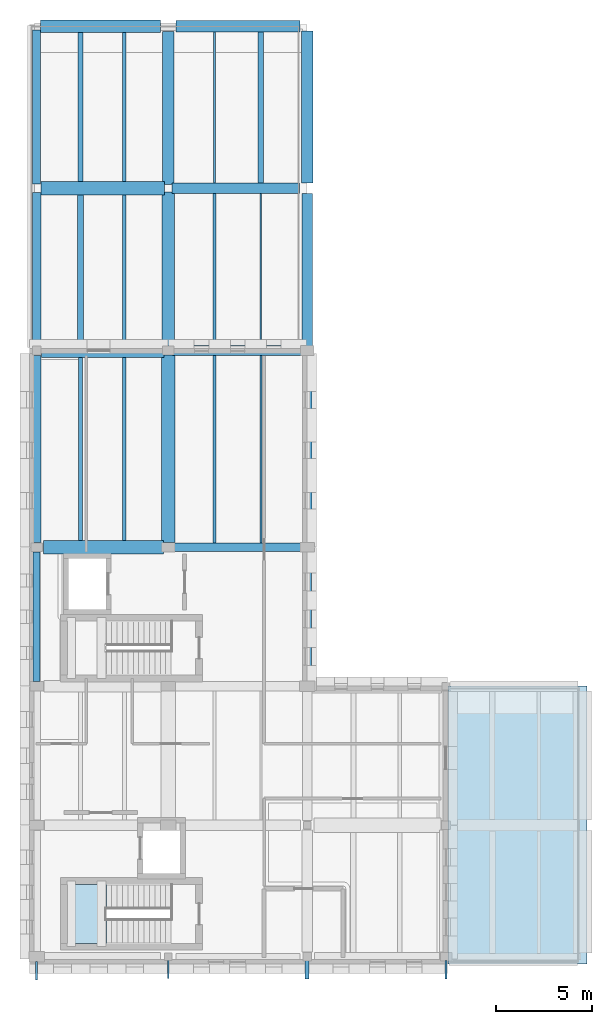
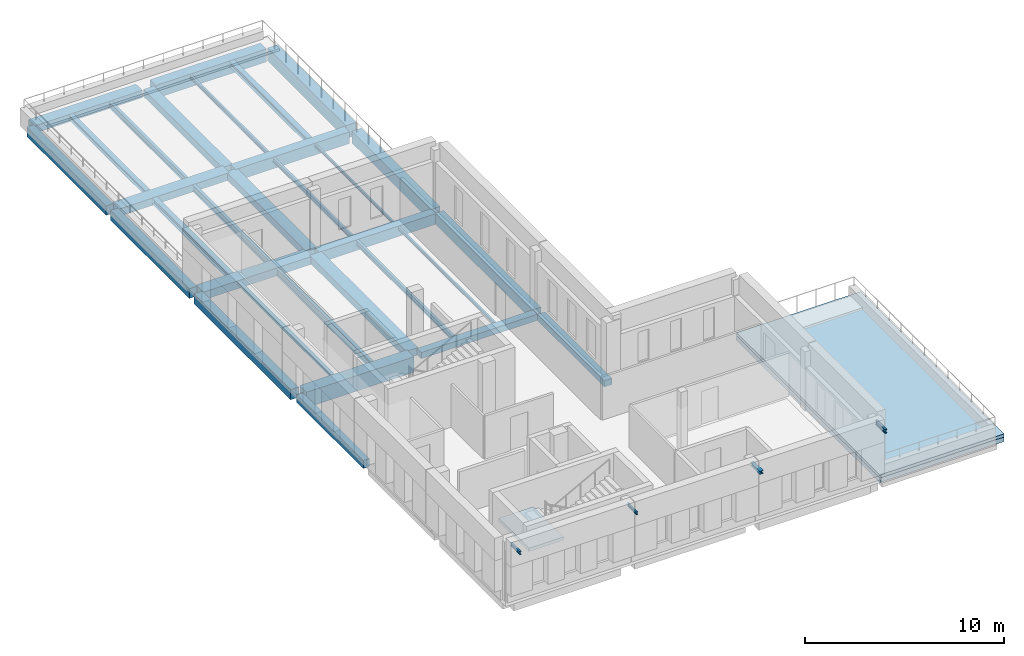
# One storey, part 2 of 8: 31 beams, 4 members, 3 slabs, 1 element without a shape of its own.
"""IFC4 building model written with IfcOpenShell, lengths in metres."""

import ifcopenshell
import ifcopenshell.guid

model = None  # the IFC model being written
_history = None  # IfcOwnerHistory: only IFC2X3 demands one
_inside = {}  # id of a spatial element -> (the spatial element, [elements in it])
_under = {}  # id of a project, library or spatial element -> (it, [spatial elements below it])
_declared = {}  # id of a project -> (the project, [libraries it declares])
_typed = {}  # id of a type object -> (the type object, [elements of that type])
_made_of = {}  # id of a material, layer set ... -> (it, [elements and type objects made of it])


def new_model(schema):
    """Start an empty IFC model of exactly this schema.

    Asked for "IFC4X3", IfcOpenShell would pick the latest addendum, in which some entities
    have other attributes; the version numbers below select the first issue.
    IFC2X3 requires an IfcOwnerHistory on every rooted entity: one is made here for all.
    """
    global model, _history
    if schema == "IFC4X3":
        model = ifcopenshell.file(schema_version=(4, 3, 0, 0))
    else:
        model = ifcopenshell.file(schema=schema)
    _inside.clear()
    _under.clear()
    _declared.clear()
    _typed.clear()
    _made_of.clear()
    _history = None
    if model.schema == "IFC2X3":
        org = make("IfcOrganization", Name="unknown")
        user = make(
            "IfcPersonAndOrganization",
            ThePerson=make("IfcPerson", FamilyName="unknown"),
            TheOrganization=org,
        )
        app = make(
            "IfcApplication",
            ApplicationDeveloper=org,
            Version="unknown",
            ApplicationFullName="unknown",
            ApplicationIdentifier="unknown",
        )
        _history = make(
            "IfcOwnerHistory",
            OwningUser=user,
            OwningApplication=app,
            ChangeAction="ADDED",
            CreationDate=0,
        )
    return model


def make(cls, **values):
    """One entity of the class cls with the attributes given. An attribute that is None is left unset."""
    return model.create_entity(
        cls, **{name: value for name, value in values.items() if value is not None}
    )


def rooted(cls, **values):
    """An entity with a GlobalId (a new one), such as an element, a storey or a relation."""
    return make(cls, GlobalId=ifcopenshell.guid.new(), OwnerHistory=_history, **values)


def si_unit(unit_type, name, prefix=None):
    """IfcSIUnit, for example si_unit("LENGTHUNIT", "METRE", prefix="MILLI")."""
    return make("IfcSIUnit", UnitType=unit_type, Prefix=prefix, Name=name)


def assignment(units):
    """IfcUnitAssignment: the units of a project."""
    return None if units is None else make("IfcUnitAssignment", Units=units)


def point(xyz):
    """IfcCartesianPoint."""
    return None if xyz is None else make("IfcCartesianPoint", Coordinates=xyz)


def direction(xyz):
    """IfcDirection."""
    return None if xyz is None else make("IfcDirection", DirectionRatios=xyz)


def frame(location, z_axis=None, x_axis=None):
    """IfcAxis2Placement3D, a coordinate frame: its origin and axes. An axis left out is left unset."""
    return make(
        "IfcAxis2Placement3D",
        Location=point(location),
        Axis=direction(z_axis),
        RefDirection=direction(x_axis),
    )


def frame_2d(location, x_axis=None):
    """IfcAxis2Placement2D, a coordinate frame in the plane: its origin and x axis."""
    return make(
        "IfcAxis2Placement2D", Location=point(location), RefDirection=direction(x_axis)
    )


def origin():
    """The frame at (0, 0, 0) with its axes left unset."""
    return frame((0.0, 0.0, 0.0))


def origin_2d():
    """The frame at (0, 0) in the plane with its x axis left unset."""
    return frame_2d((0.0, 0.0))


def place(relative_to, where):
    """IfcLocalPlacement: puts the frame where relative to a parent placement (None: the world)."""
    return make(
        "IfcLocalPlacement", PlacementRelTo=relative_to, RelativePlacement=where
    )


def context(
    kind, dimensions, precision=None, world=None, true_north=None, identifier=None
):
    """IfcGeometricRepresentationContext, for example the 3D "Model" context."""
    return make(
        "IfcGeometricRepresentationContext",
        ContextIdentifier=identifier,
        ContextType=kind,
        CoordinateSpaceDimension=dimensions,
        Precision=precision,
        WorldCoordinateSystem=world,
        TrueNorth=true_north,
    )


def subcontext(parent, identifier, kind, view, scale=None):
    """IfcGeometricRepresentationSubContext, for example "Body" below "Model"."""
    return make(
        "IfcGeometricRepresentationSubContext",
        ContextIdentifier=identifier,
        ContextType=kind,
        ParentContext=parent,
        TargetScale=scale,
        TargetView=view,
    )


def project(units=None, contexts=None):
    """IfcProject with its units and contexts."""
    return rooted(
        "IfcProject",
        Name="project",
        RepresentationContexts=contexts,
        UnitsInContext=assignment(units),
    )


def spatial(cls, under=None, at=None, **own):
    """A site, building, storey or space (cls), placed at a placement, below another one or the project."""
    s = rooted(cls, ObjectPlacement=at, **own)
    if under is not None:
        _under.setdefault(under.id(), (under, []))[1].append(s)
    return s


def polyline(points):
    """IfcPolyline through the points."""
    return make("IfcPolyline", Points=[point(p) for p in points])


def profile(cls, at=None, kind="AREA", **sizes):
    """A parametric profile (cls). Its sizes go by their IFC names, for example OverallWidth=200.0."""
    return make(cls, ProfileType=kind, Position=at, **sizes)


def rectangle(**sizes):
    """IfcRectangleProfileDef."""
    return profile("IfcRectangleProfileDef", **sizes)


def i_section(**sizes):
    """IfcIShapeProfileDef."""
    return profile("IfcIShapeProfileDef", **sizes)


def outline(outer, holes=None, kind="AREA"):
    """IfcArbitraryClosedProfileDef: a profile drawn as a closed curve; with holes, ...WithVoids."""
    if holes is None:
        return make("IfcArbitraryClosedProfileDef", ProfileType=kind, OuterCurve=outer)
    return make(
        "IfcArbitraryProfileDefWithVoids",
        ProfileType=kind,
        OuterCurve=outer,
        InnerCurves=holes,
    )


def extrude(swept, where, along, depth):
    """IfcExtrudedAreaSolid: the profile swept, set in the frame where, extruded along a direction by depth."""
    return make(
        "IfcExtrudedAreaSolid",
        SweptArea=swept,
        Position=where,
        ExtrudedDirection=direction(along),
        Depth=depth,
    )


def shape(context_of_items, identifier, shape_type, items):
    """IfcShapeRepresentation: the items that make up one representation, for example the "Body"."""
    return make(
        "IfcShapeRepresentation",
        ContextOfItems=context_of_items,
        RepresentationIdentifier=identifier,
        RepresentationType=shape_type,
        Items=items,
    )


def material(Name=None, Category=None):
    """IfcMaterial."""
    return make("IfcMaterial", Name=Name, Category=Category)


def layer(
    of_material, thickness, ventilated=None, Name=None, Category=None, Priority=None
):
    """IfcMaterialLayer: one layer of a wall or slab, of a material (None: an air gap)."""
    return make(
        "IfcMaterialLayer",
        Material=of_material,
        LayerThickness=thickness,
        IsVentilated=ventilated,
        Name=Name,
        Category=Category,
        Priority=Priority,
    )


def layer_set(layers, Name=None):
    """IfcMaterialLayerSet."""
    return make("IfcMaterialLayerSet", MaterialLayers=layers, LayerSetName=Name)


def material_profile(
    of_material, cross_section, Name=None, Category=None, Priority=None
):
    """IfcMaterialProfile: a cross section and its material."""
    return make(
        "IfcMaterialProfile",
        Name=Name,
        Material=of_material,
        Profile=cross_section,
        Priority=Priority,
        Category=Category,
    )


def profile_set(profiles, Name=None, composite=None):
    """IfcMaterialProfileSet."""
    return make(
        "IfcMaterialProfileSet",
        Name=Name,
        MaterialProfiles=profiles,
        CompositeProfile=composite,
    )


def made_of(thing, what):
    """Note that an element or type object is made of a material, layer set ...; save() writes the relation."""
    if what is not None:
        _made_of.setdefault(what.id(), (what, []))[1].append(thing)
    return thing


def type_object(cls, material=None, **own):
    """A type object (cls), such as IfcWallType, which elements share."""
    return made_of(rooted(cls, **own), material)


def element(
    cls,
    number,
    at=None,
    inside=None,
    cuts=None,
    type_object=None,
    material=None,
    context=None,
    identifier="Body",
    shape_type=None,
    held_by="IfcProductDefinitionShape",
    body=None,
    shapes=None,
    **own,
):
    """One element of the class cls, such as IfcWall. Its Tag is "e" and its number.

    at: its placement. inside: the storey or other place that contains it. cuts: it is an
    opening in that element (IfcRelVoidsElement). A single representation is given by context,
    identifier, shape_type and body (its items); several are given by shapes. held_by: the class
    of the entity that holds the representations. save() writes the other relations.
    """
    e = rooted(cls, Tag="e%d" % number, ObjectPlacement=at, **own)
    if body is not None:
        shapes = [shape(context, identifier, shape_type, body)]
    if shapes is not None:
        e.Representation = make(held_by, Representations=shapes)
    if inside is not None:
        _inside.setdefault(inside.id(), (inside, []))[1].append(e)
    if cuts is not None:
        rooted(
            "IfcRelVoidsElement", RelatingBuildingElement=cuts, RelatedOpeningElement=e
        )
    if type_object is not None:
        _typed.setdefault(type_object.id(), (type_object, []))[1].append(e)
    return made_of(e, material)


def aggregate(whole, parts):
    """IfcRelAggregates: a whole, such as a stair, and the parts it consists of."""
    return rooted("IfcRelAggregates", RelatingObject=whole, RelatedObjects=parts)


def save(model, path):
    """Write the relations noted so far, then the file.

    IfcRelAggregates (storeys below a building ...), IfcRelContainedInSpatialStructure (elements
    in a storey), IfcRelDefinesByType, IfcRelAssociatesMaterial and IfcRelDeclares: one each for
    every whole, place, type object, material and project.
    """
    for whole, parts in _under.values():
        aggregate(whole, parts)
    for where, things in _inside.values():
        rooted(
            "IfcRelContainedInSpatialStructure",
            RelatedElements=things,
            RelatingStructure=where,
        )
    for kind, things in _typed.values():
        rooted("IfcRelDefinesByType", RelatedObjects=things, RelatingType=kind)
    for what, things in _made_of.values():
        rooted("IfcRelAssociatesMaterial", RelatedObjects=things, RelatingMaterial=what)
    for by, libraries in _declared.values():
        rooted("IfcRelDeclares", RelatingContext=by, RelatedDefinitions=libraries)
    model.write(path)


model = new_model("IFC4")

# Units and contexts
model_context = context("Model", 3, precision=1e-05, world=origin(), true_north=direction((0.0, 1.0)))
body_context = subcontext(model_context, "Body", "Model", "MODEL_VIEW")
ifc_project = project(units=[si_unit("LENGTHUNIT", "METRE"), si_unit("AREAUNIT", "SQUARE_METRE"), si_unit("VOLUMEUNIT", "CUBIC_METRE"), si_unit("PLANEANGLEUNIT", "RADIAN"), si_unit("MASSUNIT", "GRAM", prefix="KILO")], contexts=[model_context])

# Site, building, storey
site_placement = place(None, origin())
site = spatial("IfcSite", under=ifc_project, at=site_placement, CompositionType="ELEMENT")
building_placement = place(site_placement, origin())
building = spatial("IfcBuilding", under=site, at=building_placement, Name="Vardoun Plaza Health Centre", CompositionType="ELEMENT")
storey_placement = place(building_placement, frame((0.0, 0.0, 21.14990234375)))
storey = spatial("IfcBuildingStorey", under=building, at=storey_placement, Name="L05", CompositionType="ELEMENT", Elevation=21.14990234375)

# Beams
ifc_material_1 = material(Name="Concrete C35/45", Category="concrete")
ifc_material_profile_1 = material_profile(ifc_material_1, rectangle(XDim=0.35009765625, YDim=0.5, at=origin_2d()), Name="RC-BM 350x500")
ifc_profile_set_1 = profile_set([ifc_material_profile_1], Name="Concrete C35/45")
beam_type_1 = type_object("IfcBeamType", Name="B-08", PredefinedType="SPANDREL", material=ifc_profile_set_1)
beam_1_placement = place(storey_placement, frame((4.8798828125, 19.14990234375, -0.52978515625), z_axis=(0.0, 1.0, 0.0), x_axis=(-1.0, 0.0, 0.0)))
element("IfcBeam", 1, at=beam_1_placement, inside=storey, type_object=beam_type_1, Name="V2 L05 Beam B-V2-L05-Y23", PredefinedType="SPANDREL", context=body_context, shape_type="SweptSolid", body=[
    extrude(rectangle(XDim=0.35009765625, YDim=0.5, at=origin_2d()), origin(), (0.0, 0.0, 1.0), 6.7001953125),
])
ifc_material_2 = material(Name="Concrete C35/45", Category="concrete")
ifc_material_profile_2 = material_profile(ifc_material_2, rectangle(XDim=0.419921875, YDim=0.580078125, at=origin_2d()), Name="RC-BM 420x580")
ifc_profile_set_2 = profile_set([ifc_material_profile_2], Name="Concrete C35/45")
beam_type_2 = type_object("IfcBeamType", Name="B-10", PredefinedType="SPANDREL", material=ifc_profile_set_2)
beam_2_placement = place(storey_placement, frame((4.8798828125, 44.925048828125, -0.56982421875), z_axis=(0.0, 1.0, 0.0), x_axis=(-1.0, 0.0, 0.0)))
element("IfcBeam", 2, at=beam_2_placement, inside=storey, type_object=beam_type_2, Name="V2 L05 Beam B-V2-L05-Y26", PredefinedType="SPANDREL", context=body_context, shape_type="SweptSolid", body=[
    extrude(rectangle(XDim=0.419921875, YDim=0.580078125, at=origin_2d()), origin(), (0.0, 0.0, 1.0), 7.97509765625),
])
ifc_material_3 = material(Name="Concrete C35/45", Category="concrete")
ifc_material_profile_3 = material_profile(ifc_material_3, rectangle(XDim=0.449951171875, YDim=0.3798828125, at=origin_2d()), Name="RC-BM 450x380")
ifc_profile_set_3 = profile_set([ifc_material_profile_3], Name="Concrete C35/45")
beam_type_3 = type_object("IfcBeamType", Name="B-01", PredefinedType="BEAM", material=ifc_profile_set_3)
for number, where, z_axis, x_axis, name in (
    (3, (11.949951171875, 26.10009765625, -0.469970703125), (1.0, 0.0, 0.0), (0.0, 1.0, 0.0), "V2 L05 Beam B-V2-L05-X11"),
    (4, (18.89990234375, 19.14990234375, -0.469970703125), (0.0, 1.0, 0.0), (-1.0, 0.0, 0.0), "V2 L05 Beam B-V2-L05-Y33"),
):
    element("IfcBeam", number, at=place(storey_placement, frame(where, z_axis=z_axis, x_axis=x_axis)), inside=storey, type_object=beam_type_3, Name=name, PredefinedType="BEAM", context=body_context, shape_type="SweptSolid", body=[
        extrude(rectangle(XDim=0.449951171875, YDim=0.3798828125, at=origin_2d()), origin(), (0.0, 0.0, 1.0), 6.72509765625),
    ])
ifc_material_4 = material(Name="Concrete C35/45", Category="concrete")
ifc_material_profile_4 = material_profile(ifc_material_4, rectangle(XDim=0.449951171875, YDim=0.60009765625, at=origin_2d()), Name="RC-BM 450x600")
ifc_profile_set_4 = profile_set([ifc_material_profile_4], Name="Concrete C35/45")
beam_type_4 = type_object("IfcBeamType", Name="B-11", PredefinedType="SPANDREL", material=ifc_profile_set_4)
beam_3_placement = place(storey_placement, frame((4.8798828125, 36.550048828125, -0.579833984375), z_axis=(0.0, 1.0, 0.0), x_axis=(-1.0, 0.0, 0.0)))
element("IfcBeam", 5, at=beam_3_placement, inside=storey, type_object=beam_type_4, Name="V2 L05 Beam B-V2-L05-Y25", PredefinedType="SPANDREL", context=body_context, shape_type="SweptSolid", body=[
    extrude(rectangle(XDim=0.449951171875, YDim=0.60009765625, at=origin_2d()), origin(), (0.0, 0.0, 1.0), 7.925048828125),
])
ifc_material_5 = material(Name="Concrete C35/45", Category="concrete")
ifc_material_profile_5 = material_profile(ifc_material_5, rectangle(XDim=0.47998046875, YDim=0.6201171875, at=origin_2d()), Name="RC-BM 480x620")
ifc_profile_set_5 = profile_set([ifc_material_profile_5], Name="Concrete C35/45")
beam_type_5 = type_object("IfcBeamType", Name="B-12", PredefinedType="SPANDREL", material=ifc_profile_set_5)
beam_4_placement = place(storey_placement, frame((4.8798828125, 26.35009765625, -0.58984375), z_axis=(0.0, 1.0, 0.0), x_axis=(-1.0, 0.0, 0.0)))
element("IfcBeam", 6, at=beam_4_placement, inside=storey, type_object=beam_type_5, Name="V2 L05 Beam B-V2-L05-Y24", PredefinedType="SPANDREL", context=body_context, shape_type="SweptSolid", body=[
    extrude(rectangle(XDim=0.47998046875, YDim=0.6201171875, at=origin_2d()), origin(), (0.0, 0.0, 1.0), 9.699951171875),
])
ifc_material_6 = material(Name="Concrete C40/50", Category="concrete")
ifc_material_profile_6 = material_profile(ifc_material_6, rectangle(XDim=0.5, YDim=0.64990234375, at=origin_2d()), Name="RC-BM 500x650")
ifc_profile_set_6 = profile_set([ifc_material_profile_6], Name="Concrete C40/50")
beam_type_6 = type_object("IfcBeamType", Name="B-13", PredefinedType="BEAM", material=ifc_profile_set_6)
beam_5_placement = place(storey_placement, frame((11.925048828125, 36.300048828125, -0.60498046875), z_axis=(1.0, 0.0, 0.0), x_axis=(0.0, 1.0, 0.0)))
element("IfcBeam", 7, at=beam_5_placement, inside=storey, type_object=beam_type_6, Name="V2 L05 Beam B-V2-L05-X12", PredefinedType="BEAM", context=body_context, shape_type="SweptSolid", body=[
    extrude(rectangle(XDim=0.5, YDim=0.64990234375, at=origin_2d()), origin(), (0.0, 0.0, 1.0), 6.77490234375),
])
beam_6_placement = place(storey_placement, frame((18.89990234375, 26.324951171875, -0.60498046875), z_axis=(0.0, 1.0, 0.0), x_axis=(-1.0, 0.0, 0.0)))
element("IfcBeam", 8, at=beam_6_placement, inside=storey, type_object=beam_type_6, Name="V2 L05 Beam B-V2-L05-Y34", PredefinedType="BEAM", context=body_context, shape_type="SweptSolid", body=[
    extrude(rectangle(XDim=0.5, YDim=0.64990234375, at=origin_2d()), origin(), (0.0, 0.0, 1.0), 9.775146484375),
])
ifc_material_7 = material(Name="Concrete C40/50", Category="concrete")
ifc_material_profile_7 = material_profile(ifc_material_7, rectangle(XDim=0.550048828125, YDim=0.719970703125, at=origin_2d()), Name="RC-BM 550x720")
ifc_profile_set_7 = profile_set([ifc_material_profile_7], Name="Concrete C40/50")
beam_type_7 = type_object("IfcBeamType", Name="B-14", PredefinedType="BEAM", material=ifc_profile_set_7)
beam_7_placement = place(storey_placement, frame((11.89990234375, 44.699951171875, -0.639892578125), z_axis=(1.0, 0.0, 0.0), x_axis=(0.0, 1.0, 0.0)))
element("IfcBeam", 9, at=beam_7_placement, inside=storey, type_object=beam_type_7, Name="V2 L05 Beam B-V2-L05-X13", PredefinedType="BEAM", context=body_context, shape_type="SweptSolid", body=[
    extrude(rectangle(XDim=0.550048828125, YDim=0.719970703125, at=origin_2d()), origin(), (0.0, 0.0, 1.0), 6.60009765625),
])
beam_8_placement = place(storey_placement, frame((18.89990234375, 36.5, -0.639892578125), z_axis=(0.0, 1.0, 0.0), x_axis=(-1.0, 0.0, 0.0)))
element("IfcBeam", 10, at=beam_8_placement, inside=storey, type_object=beam_type_7, Name="V2 L05 Beam B-V2-L05-Y35", PredefinedType="BEAM", context=body_context, shape_type="SweptSolid", body=[
    extrude(rectangle(XDim=0.550048828125, YDim=0.719970703125, at=origin_2d()), origin(), (0.0, 0.0, 1.0), 7.925048828125),
])
ifc_material_8 = material(Name="Concrete C35/45", Category="concrete")
ifc_material_profile_8 = material_profile(ifc_material_8, rectangle(XDim=0.60009765625, YDim=0.449951171875, at=origin_2d()), Name="RC-BM 600x450")
ifc_profile_set_8 = profile_set([ifc_material_profile_8], Name="Concrete C35/45")
beam_type_8 = type_object("IfcBeamType", Name="B-04", PredefinedType="BEAM", material=ifc_profile_set_8)
beam_9_placement = place(storey_placement, frame((11.699951171875, 44.900146484375, -0.5048828125), z_axis=(0.0, 1.0, 0.0), x_axis=(-1.0, 0.0, 0.0)))
element("IfcBeam", 11, at=beam_9_placement, inside=storey, type_object=beam_type_8, Name="V2 L05 Beam B-V2-L05-Y30", PredefinedType="BEAM", context=body_context, shape_type="SweptSolid", body=[
    extrude(rectangle(XDim=0.60009765625, YDim=0.449951171875, at=origin_2d()), origin(), (0.0, 0.0, 1.0), 7.9248046875),
])
ifc_material_9 = material(Name="Concrete C40/50", Category="concrete")
ifc_material_profile_9 = material_profile(ifc_material_9, rectangle(XDim=0.60009765625, YDim=0.800048828125, at=origin_2d()), Name="RC-BM 600x800")
ifc_profile_set_9 = profile_set([ifc_material_profile_9], Name="Concrete C40/50")
beam_type_9 = type_object("IfcBeamType", Name="B-15", PredefinedType="JOIST", material=ifc_profile_set_9)
beam_10_placement = place(storey_placement, frame((12.10009765625, 53.10009765625, -0.679931640625), z_axis=(1.0, 0.0, 0.0), x_axis=(0.0, 1.0, 0.0)))
element("IfcBeam", 12, at=beam_10_placement, inside=storey, type_object=beam_type_9, Name="V2 L05 Beam B-V2-L05-X14", PredefinedType="JOIST", context=body_context, shape_type="SweptSolid", body=[
    extrude(rectangle(XDim=0.60009765625, YDim=0.800048828125, at=origin_2d()), origin(), (0.0, 0.0, 1.0), 6.4248046875),
])
beam_11_placement = place(storey_placement, frame((18.89990234375, 44.97509765625, -0.679931640625), z_axis=(0.0, 1.0, 0.0), x_axis=(-1.0, 0.0, 0.0)))
element("IfcBeam", 13, at=beam_11_placement, inside=storey, type_object=beam_type_9, Name="V2 L05 Beam B-V2-L05-Y36", PredefinedType="JOIST", context=body_context, shape_type="SweptSolid", body=[
    extrude(rectangle(XDim=0.60009765625, YDim=0.800048828125, at=origin_2d()), origin(), (0.0, 0.0, 1.0), 7.875),
])
ifc_material_10 = material(Name="Concrete C35/45", Category="concrete")
ifc_material_profile_10 = material_profile(ifc_material_10, rectangle(XDim=0.64990234375, YDim=0.449951171875, at=origin_2d()), Name="RC-BM 650x450")
ifc_profile_set_10 = profile_set([ifc_material_profile_10], Name="Concrete C35/45")
beam_type_10 = type_object("IfcBeamType", Name="B-05", PredefinedType="BEAM", material=ifc_profile_set_10)
beam_12_placement = place(storey_placement, frame((5.080078125, 53.10009765625, -0.5048828125), z_axis=(1.0, 0.0, 0.0), x_axis=(0.0, 1.0, 0.0)))
element("IfcBeam", 14, at=beam_12_placement, inside=storey, type_object=beam_type_10, Name="V2 L05 Beam B-V2-L05-X07", PredefinedType="BEAM", context=body_context, shape_type="SweptSolid", body=[
    extrude(rectangle(XDim=0.64990234375, YDim=0.449951171875, at=origin_2d()), origin(), (0.0, 0.0, 1.0), 6.219970703125),
])
beam_13_placement = place(storey_placement, frame((11.699951171875, 36.525146484375, -0.5048828125), z_axis=(0.0, 1.0, 0.0), x_axis=(-1.0, 0.0, 0.0)))
element("IfcBeam", 15, at=beam_13_placement, inside=storey, type_object=beam_type_10, Name="V2 L05 Beam B-V2-L05-Y29", PredefinedType="BEAM", context=body_context, shape_type="SweptSolid", body=[
    extrude(rectangle(XDim=0.64990234375, YDim=0.449951171875, at=origin_2d()), origin(), (0.0, 0.0, 1.0), 7.974853515625),
])
ifc_material_11 = material(Name="Concrete C35/45", Category="concrete")
ifc_material_profile_11 = material_profile(ifc_material_11, rectangle(XDim=0.699951171875, YDim=0.449951171875, at=origin_2d()), Name="RC-BM 700x450")
ifc_profile_set_11 = profile_set([ifc_material_profile_11], Name="Concrete C35/45")
beam_type_11 = type_object("IfcBeamType", Name="B-06", PredefinedType="BEAM", material=ifc_profile_set_11)
beam_14_placement = place(storey_placement, frame((5.10498046875, 44.699951171875, -0.5048828125), z_axis=(1.0, 0.0, 0.0), x_axis=(0.0, 1.0, 0.0)))
element("IfcBeam", 16, at=beam_14_placement, inside=storey, type_object=beam_type_11, Name="V2 L05 Beam B-V2-L05-X06", PredefinedType="BEAM", context=body_context, shape_type="SweptSolid", body=[
    extrude(rectangle(XDim=0.699951171875, YDim=0.449951171875, at=origin_2d()), origin(), (0.0, 0.0, 1.0), 6.39501953125),
])
beam_15_placement = place(storey_placement, frame((11.699951171875, 26.35009765625, -0.5048828125), z_axis=(0.0, 1.0, 0.0), x_axis=(-1.0, 0.0, 0.0)))
element("IfcBeam", 17, at=beam_15_placement, inside=storey, type_object=beam_type_11, Name="V2 L05 Beam B-V2-L05-Y28", PredefinedType="BEAM", context=body_context, shape_type="SweptSolid", body=[
    extrude(rectangle(XDim=0.699951171875, YDim=0.449951171875, at=origin_2d()), origin(), (0.0, 0.0, 1.0), 9.724853515625),
])
ifc_material_12 = material(Name="Concrete C40/50", Category="concrete")
ifc_material_profile_12 = material_profile(ifc_material_12, rectangle(XDim=0.699951171875, YDim=0.949951171875, at=origin_2d()), Name="RC-BM 700x950")
ifc_profile_set_12 = profile_set([ifc_material_profile_12], Name="Concrete C40/50")
beam_type_12 = type_object("IfcBeamType", Name="B-16", PredefinedType="LINTEL", material=ifc_profile_set_12)
beam_16_placement = place(storey_placement, frame((5.22998046875, 26.10009765625, -0.7548828125), z_axis=(1.0, 0.0, 0.0), x_axis=(0.0, 1.0, 0.0)))
element("IfcBeam", 18, at=beam_16_placement, inside=storey, type_object=beam_type_12, Name="V2 L05 Beam B-V2-L05-X04", PredefinedType="LINTEL", context=body_context, shape_type="SweptSolid", body=[
    extrude(rectangle(XDim=0.699951171875, YDim=0.949951171875, at=origin_2d()), origin(), (0.0, 0.0, 1.0), 6.219970703125),
])
ifc_material_13 = material(Name="Concrete C35/45", Category="concrete")
ifc_material_profile_13 = material_profile(ifc_material_13, rectangle(XDim=0.75, YDim=0.47998046875, at=origin_2d()), Name="RC-BM 750x480")
ifc_profile_set_13 = profile_set([ifc_material_profile_13], Name="Concrete C35/45")
beam_type_13 = type_object("IfcBeamType", Name="B-07", PredefinedType="BEAM", material=ifc_profile_set_13)
beam_17_placement = place(storey_placement, frame((5.1298828125, 36.300048828125, -0.52001953125), z_axis=(1.0, 0.0, 0.0), x_axis=(0.0, 1.0, 0.0)))
element("IfcBeam", 19, at=beam_17_placement, inside=storey, type_object=beam_type_13, Name="V2 L05 Beam B-V2-L05-X05", PredefinedType="BEAM", context=body_context, shape_type="SweptSolid", body=[
    extrude(rectangle(XDim=0.75, YDim=0.47998046875, at=origin_2d()), origin(), (0.0, 0.0, 1.0), 6.34521484375),
])
ifc_material_14 = material(Name="Steel S355J2", Category="steel")
ifc_material_profile_14 = material_profile(ifc_material_14, i_section(OverallWidth=0.199951171875, OverallDepth=0.18994140625, WebThickness=0.006591796875, FlangeThickness=0.010009765625, FilletRadius=0.01806640625, at=origin_2d()), Name="HEA 200")
ifc_profile_set_14 = profile_set([ifc_material_profile_14], Name="Steel S355J2")
beam_type_14 = type_object("IfcBeamType", Name="SB-09", PredefinedType="BEAM", material=ifc_profile_set_14)
beam_18_placement = place(storey_placement, frame((7.153076171875, 26.449951171875, -0.375), z_axis=(0.0, 1.0, 0.0), x_axis=(-1.0, 0.0, 0.0)))
element("IfcBeam", 20, at=beam_18_placement, inside=storey, type_object=beam_type_14, Name="V2 L05 Secondary Floor Beam SJ-V2-L05-02", PredefinedType="BEAM", context=body_context, shape_type="SweptSolid", body=[
    extrude(i_section(OverallWidth=0.199951171875, OverallDepth=0.18994140625, WebThickness=0.006591796875, FlangeThickness=0.010009765625, FilletRadius=0.01806640625, at=origin_2d()), origin(), (0.0, 0.0, 1.0), 9.47509765625),
])
ifc_material_15 = material(Name="Steel S355J2", Category="steel")
ifc_material_profile_15 = material_profile(ifc_material_15, i_section(OverallWidth=0.300048828125, OverallDepth=0.330078125, WebThickness=0.009521484375, FlangeThickness=0.0166015625, FilletRadius=0.027099609375, at=origin_2d()), Name="HEA 340")
ifc_profile_set_15 = profile_set([ifc_material_profile_15], Name="Steel S355J2")
beam_type_15 = type_object("IfcBeamType", Name="SB-04", PredefinedType="BEAM", material=ifc_profile_set_15)
beam_19_placement = place(storey_placement, frame((16.500244140625, 44.97509765625, -0.44482421875), z_axis=(0.0, 1.0, 0.0), x_axis=(-1.0, 0.0, 0.0)))
element("IfcBeam", 21, at=beam_19_placement, inside=storey, type_object=beam_type_15, Name="V2 L05 Secondary Floor Beam SJ-V2-L05-16", PredefinedType="BEAM", context=body_context, shape_type="SweptSolid", body=[
    extrude(i_section(OverallWidth=0.300048828125, OverallDepth=0.330078125, WebThickness=0.009521484375, FlangeThickness=0.0166015625, FilletRadius=0.027099609375, at=origin_2d()), origin(), (0.0, 0.0, 1.0), 7.824951171875),
])
ifc_material_16 = material(Name="Steel S355J2", Category="steel")
ifc_material_profile_16 = material_profile(ifc_material_16, i_section(OverallWidth=0.280029296875, OverallDepth=0.280029296875, WebThickness=0.010498046875, FlangeThickness=0.01806640625, FilletRadius=0.02392578125, at=origin_2d()), Name="HEB 280")
ifc_profile_set_16 = profile_set([ifc_material_profile_16], Name="Steel S355J2")
beam_type_16 = type_object("IfcBeamType", Name="SB-02", PredefinedType="BEAM", material=ifc_profile_set_16)
beam_20_placement = place(storey_placement, frame((7.153076171875, 45.050048828125, -0.419921875), z_axis=(0.0, 1.0, 0.0), x_axis=(-1.0, 0.0, 0.0)))
element("IfcBeam", 22, at=beam_20_placement, inside=storey, type_object=beam_type_16, Name="V2 L05 Secondary Floor Beam SJ-V2-L05-04", PredefinedType="BEAM", context=body_context, shape_type="SweptSolid", body=[
    extrude(i_section(OverallWidth=0.280029296875, OverallDepth=0.280029296875, WebThickness=0.010498046875, FlangeThickness=0.01806640625, FilletRadius=0.02392578125, at=origin_2d()), origin(), (0.0, 0.0, 1.0), 7.72509765625),
])
ifc_material_17 = material(Name="Steel S355J2", Category="steel")
ifc_material_profile_17 = material_profile(ifc_material_17, i_section(OverallWidth=0.300048828125, OverallDepth=0.360107421875, WebThickness=0.012451171875, FlangeThickness=0.0224609375, FilletRadius=0.027099609375, at=origin_2d()), Name="HEB 360")
ifc_profile_set_17 = profile_set([ifc_material_profile_17], Name="Steel S355J2")
beam_type_17 = type_object("IfcBeamType", Name="RB-04", PredefinedType="BEAM", material=ifc_profile_set_17)
beam_21_placement = place(storey_placement, frame((7.153076171875, 36.675048828125, -0.459716796875), z_axis=(0.0, 1.0, 0.0), x_axis=(-1.0, 0.0, 0.0)))
element("IfcBeam", 23, at=beam_21_placement, inside=storey, type_object=beam_type_17, Name="V2 L05 Secondary Floor Beam SJ-V2-L05-03", PredefinedType="BEAM", context=body_context, shape_type="SweptSolid", body=[
    extrude(i_section(OverallWidth=0.300048828125, OverallDepth=0.360107421875, WebThickness=0.012451171875, FlangeThickness=0.0224609375, FilletRadius=0.027099609375, at=origin_2d()), origin(), (0.0, 0.0, 1.0), 7.675048828125),
])
ifc_material_18 = material(Name="Steel S355J2", Category="steel")
ifc_material_profile_18 = material_profile(ifc_material_18, i_section(OverallWidth=0.091064453125, OverallDepth=0.179931640625, WebThickness=0.00537109375, FlangeThickness=0.008056640625, FilletRadius=0.009033203125, at=origin_2d()), Name="IPE 180")
ifc_profile_set_18 = profile_set([ifc_material_profile_18], Name="Steel S355J2")
beam_type_18 = type_object("IfcBeamType", Name="SB-20", PredefinedType="SPANDREL", material=ifc_profile_set_18)
beam_22_placement = place(storey_placement, frame((16.500244140625, 36.550048828125, -0.369873046875), z_axis=(0.0, 1.0, 0.0), x_axis=(-1.0, 0.0, 0.0)))
element("IfcBeam", 24, at=beam_22_placement, inside=storey, type_object=beam_type_18, Name="V2 L05 Secondary Floor Beam SJ-V2-L05-15", PredefinedType="SPANDREL", context=body_context, shape_type="SweptSolid", body=[
    extrude(i_section(OverallWidth=0.091064453125, OverallDepth=0.179931640625, WebThickness=0.00537109375, FlangeThickness=0.008056640625, FilletRadius=0.009033203125, at=origin_2d()), origin(), (0.0, 0.0, 1.0), 7.875),
])
ifc_material_19 = material(Name="Steel S355J2", Category="steel")
ifc_material_profile_19 = material_profile(ifc_material_19, i_section(OverallWidth=0.10009765625, OverallDepth=0.199951171875, WebThickness=0.005615234375, FlangeThickness=0.008544921875, FilletRadius=0.011962890625, at=origin_2d()), Name="IPE 200")
ifc_profile_set_19 = profile_set([ifc_material_profile_19], Name="Steel S355J2")
beam_type_19 = type_object("IfcBeamType", Name="SB-19", PredefinedType="SPANDREL", material=ifc_profile_set_19)
beam_23_placement = place(storey_placement, frame((16.500244140625, 26.324951171875, -0.3798828125), z_axis=(0.0, 1.0, 0.0), x_axis=(-1.0, 0.0, 0.0)))
element("IfcBeam", 25, at=beam_23_placement, inside=storey, type_object=beam_type_19, Name="V2 L05 Secondary Floor Beam SJ-V2-L05-14", PredefinedType="SPANDREL", context=body_context, shape_type="SweptSolid", body=[
    extrude(i_section(OverallWidth=0.10009765625, OverallDepth=0.199951171875, WebThickness=0.005615234375, FlangeThickness=0.008544921875, FilletRadius=0.011962890625, at=origin_2d()), origin(), (0.0, 0.0, 1.0), 9.72509765625),
])
ifc_material_20 = material(Name="Steel S355J2", Category="steel")
ifc_material_profile_20 = material_profile(ifc_material_20, i_section(OverallWidth=0.1201171875, OverallDepth=0.239990234375, WebThickness=0.006103515625, FlangeThickness=0.009765625, FilletRadius=0.014892578125, at=origin_2d()), Name="IPE 240")
ifc_profile_set_20 = profile_set([ifc_material_profile_20], Name="Steel S355J2")
beam_type_20 = type_object("IfcBeamType", Name="SB-17", PredefinedType="JOIST", material=ifc_profile_set_20)
beam_24_placement = place(storey_placement, frame((14.099853515625, 44.97509765625, -0.39990234375), z_axis=(0.0, 1.0, 0.0), x_axis=(-1.0, 0.0, 0.0)))
element("IfcBeam", 26, at=beam_24_placement, inside=storey, type_object=beam_type_20, Name="V2 L05 Secondary Floor Beam SJ-V2-L05-12", PredefinedType="JOIST", context=body_context, shape_type="SweptSolid", body=[
    extrude(i_section(OverallWidth=0.1201171875, OverallDepth=0.239990234375, WebThickness=0.006103515625, FlangeThickness=0.009765625, FilletRadius=0.014892578125, at=origin_2d()), origin(), (0.0, 0.0, 1.0), 7.824951171875),
])
ifc_material_21 = material(Name="Steel S355J2", Category="steel")
ifc_material_profile_21 = material_profile(ifc_material_21, i_section(OverallWidth=0.135009765625, OverallDepth=0.27001953125, WebThickness=0.006591796875, FlangeThickness=0.01025390625, FilletRadius=0.014892578125, at=origin_2d()), Name="IPE 270")
ifc_profile_set_21 = profile_set([ifc_material_profile_21], Name="Steel S355J2")
beam_type_21 = type_object("IfcBeamType", Name="SB-16", PredefinedType="JOIST", material=ifc_profile_set_21)
beam_25_placement = place(storey_placement, frame((14.099853515625, 36.550048828125, -0.414794921875), z_axis=(0.0, 1.0, 0.0), x_axis=(-1.0, 0.0, 0.0)))
element("IfcBeam", 27, at=beam_25_placement, inside=storey, type_object=beam_type_21, Name="V2 L05 Secondary Floor Beam SJ-V2-L05-11", PredefinedType="JOIST", context=body_context, shape_type="SweptSolid", body=[
    extrude(i_section(OverallWidth=0.135009765625, OverallDepth=0.27001953125, WebThickness=0.006591796875, FlangeThickness=0.01025390625, FilletRadius=0.014892578125, at=origin_2d()), origin(), (0.0, 0.0, 1.0), 7.875),
])
ifc_material_22 = material(Name="Steel S355J2", Category="steel")
ifc_material_profile_22 = material_profile(ifc_material_22, i_section(OverallWidth=0.14990234375, OverallDepth=0.300048828125, WebThickness=0.007080078125, FlangeThickness=0.0107421875, FilletRadius=0.014892578125, at=origin_2d()), Name="IPE 300")
ifc_profile_set_22 = profile_set([ifc_material_profile_22], Name="Steel S355J2")
beam_type_22 = type_object("IfcBeamType", Name="SB-15", PredefinedType="JOIST", material=ifc_profile_set_22)
beam_26_placement = place(storey_placement, frame((14.099853515625, 26.324951171875, -0.429931640625), z_axis=(0.0, 1.0, 0.0), x_axis=(-1.0, 0.0, 0.0)))
element("IfcBeam", 28, at=beam_26_placement, inside=storey, type_object=beam_type_22, Name="V2 L05 Secondary Floor Beam SJ-V2-L05-10", PredefinedType="JOIST", context=body_context, shape_type="SweptSolid", body=[
    extrude(i_section(OverallWidth=0.14990234375, OverallDepth=0.300048828125, WebThickness=0.007080078125, FlangeThickness=0.0107421875, FilletRadius=0.014892578125, at=origin_2d()), origin(), (0.0, 0.0, 1.0), 9.72509765625),
])
ifc_material_23 = material(Name="Steel S355J2", Category="steel")
ifc_material_profile_23 = material_profile(ifc_material_23, i_section(OverallWidth=0.169921875, OverallDepth=0.360107421875, WebThickness=0.008056640625, FlangeThickness=0.0126953125, FilletRadius=0.01806640625, at=origin_2d()), Name="IPE 360")
ifc_profile_set_23 = profile_set([ifc_material_profile_23], Name="Steel S355J2")
beam_type_23 = type_object("IfcBeamType", Name="SB-13", PredefinedType="JOIST", material=ifc_profile_set_23)
beam_27_placement = place(storey_placement, frame((9.427001953125, 45.050048828125, -0.459716796875), z_axis=(0.0, 1.0, 0.0), x_axis=(-1.0, 0.0, 0.0)))
element("IfcBeam", 29, at=beam_27_placement, inside=storey, type_object=beam_type_23, Name="V2 L05 Secondary Floor Beam SJ-V2-L05-08", PredefinedType="JOIST", context=body_context, shape_type="SweptSolid", body=[
    extrude(i_section(OverallWidth=0.169921875, OverallDepth=0.360107421875, WebThickness=0.008056640625, FlangeThickness=0.0126953125, FilletRadius=0.01806640625, at=origin_2d()), origin(), (0.0, 0.0, 1.0), 7.72509765625),
])
ifc_material_24 = material(Name="Steel S355J2", Category="steel")
ifc_material_profile_24 = material_profile(ifc_material_24, i_section(OverallWidth=0.179931640625, OverallDepth=0.39990234375, WebThickness=0.008544921875, FlangeThickness=0.013427734375, FilletRadius=0.02099609375, at=origin_2d()), Name="IPE 400")
ifc_profile_set_24 = profile_set([ifc_material_profile_24], Name="Steel S355J2")
beam_type_24 = type_object("IfcBeamType", Name="SB-12", PredefinedType="BEAM", material=ifc_profile_set_24)
beam_28_placement = place(storey_placement, frame((9.427001953125, 36.675048828125, -0.47998046875), z_axis=(0.0, 1.0, 0.0), x_axis=(-1.0, 0.0, 0.0)))
element("IfcBeam", 30, at=beam_28_placement, inside=storey, type_object=beam_type_24, Name="V2 L05 Secondary Floor Beam SJ-V2-L05-07", PredefinedType="BEAM", context=body_context, shape_type="SweptSolid", body=[
    extrude(i_section(OverallWidth=0.179931640625, OverallDepth=0.39990234375, WebThickness=0.008544921875, FlangeThickness=0.013427734375, FilletRadius=0.02099609375, at=origin_2d()), origin(), (0.0, 0.0, 1.0), 7.675048828125),
])
ifc_material_25 = material(Name="Steel S355J2", Category="steel")
ifc_material_profile_25 = material_profile(ifc_material_25, i_section(OverallWidth=0.18994140625, OverallDepth=0.449951171875, WebThickness=0.009521484375, FlangeThickness=0.0146484375, FilletRadius=0.02099609375, at=origin_2d()), Name="IPE 450")
ifc_profile_set_25 = profile_set([ifc_material_profile_25], Name="Steel S355J2")
beam_type_25 = type_object("IfcBeamType", Name="SB-11", PredefinedType="BEAM", material=ifc_profile_set_25)
beam_29_placement = place(storey_placement, frame((9.427001953125, 26.449951171875, -0.5048828125), z_axis=(0.0, 1.0, 0.0), x_axis=(-1.0, 0.0, 0.0)))
element("IfcBeam", 31, at=beam_29_placement, inside=storey, type_object=beam_type_25, Name="V2 L05 Secondary Floor Beam SJ-V2-L05-06", PredefinedType="BEAM", context=body_context, shape_type="SweptSolid", body=[
    extrude(i_section(OverallWidth=0.18994140625, OverallDepth=0.449951171875, WebThickness=0.009521484375, FlangeThickness=0.0146484375, FilletRadius=0.02099609375, at=origin_2d()), origin(), (0.0, 0.0, 1.0), 9.47509765625),
])

# Members
ifc_material_26 = material(Name="Steel S355J2", Category="steel")
ifc_material_profile_26 = material_profile(ifc_material_26, i_section(OverallWidth=0.1201171875, OverallDepth=0.239990234375, WebThickness=0.006103515625, FlangeThickness=0.009765625, FilletRadius=0.014892578125, at=origin_2d()), Name="IPE 240")
ifc_profile_set_26 = profile_set([ifc_material_profile_26], Name="Steel S355J2")
member_type_1 = type_object("IfcMemberType", Name="CR-01", PredefinedType="RAFTER", material=ifc_profile_set_26)
member_1_placement = place(storey_placement, frame((26.10009765625, 4.675048828125, 3.3701171875), z_axis=(0.0, -1.0, 0.0), x_axis=(1.0, 0.0, 0.0)))
element("IfcMember", 32, at=member_1_placement, inside=storey, type_object=member_type_1, Name="V2 L05 South Facade Shading Fin Arm SH-V2-L05-035", PredefinedType="RAFTER", context=body_context, shape_type="SweptSolid", body=[
    extrude(i_section(OverallWidth=0.1201171875, OverallDepth=0.239990234375, WebThickness=0.006103515625, FlangeThickness=0.009765625, FilletRadius=0.014892578125, at=origin_2d()), origin(), (0.0, 0.0, 1.0), 0.949951171875),
])
ifc_material_27 = material(Name="Steel S355J2", Category="steel")
ifc_material_profile_27 = material_profile(ifc_material_27, i_section(OverallWidth=0.10009765625, OverallDepth=0.199951171875, WebThickness=0.005615234375, FlangeThickness=0.008544921875, FilletRadius=0.011962890625, at=origin_2d()), Name="IPE 200")
ifc_profile_set_27 = profile_set([ifc_material_profile_27], Name="Steel S355J2")
member_type_2 = type_object("IfcMemberType", Name="CR-03", PredefinedType="RAFTER", material=ifc_profile_set_27)
member_2_placement = place(storey_placement, frame((4.8798828125, 4.625, 3.3701171875), z_axis=(0.0, -1.0, 0.0), x_axis=(1.0, 0.0, 0.0)))
element("IfcMember", 33, at=member_2_placement, inside=storey, type_object=member_type_2, Name="V2 L05 South Facade Shading Fin Arm SH-V2-L05-032", PredefinedType="RAFTER", context=body_context, shape_type="SweptSolid", body=[
    extrude(i_section(OverallWidth=0.10009765625, OverallDepth=0.199951171875, WebThickness=0.005615234375, FlangeThickness=0.008544921875, FilletRadius=0.011962890625, at=origin_2d()), origin(), (0.0, 0.0, 1.0), 0.949951171875),
])
ifc_material_28 = material(Name="Steel S355J2", Category="steel")
ifc_material_profile_28 = material_profile(ifc_material_28, i_section(OverallWidth=0.091064453125, OverallDepth=0.179931640625, WebThickness=0.00537109375, FlangeThickness=0.008056640625, FilletRadius=0.009033203125, at=origin_2d()), Name="IPE 180")
ifc_profile_set_28 = profile_set([ifc_material_profile_28], Name="Steel S355J2")
member_type_3 = type_object("IfcMemberType", Name="CR-04", PredefinedType="RAFTER", material=ifc_profile_set_28)
member_3_placement = place(storey_placement, frame((11.699951171875, 4.699951171875, 3.3701171875), z_axis=(0.0, -1.0, 0.0), x_axis=(1.0, 0.0, 0.0)))
element("IfcMember", 34, at=member_3_placement, inside=storey, type_object=member_type_3, Name="V2 L05 South Facade Shading Fin Arm SH-V2-L05-033", PredefinedType="RAFTER", context=body_context, shape_type="SweptSolid", body=[
    extrude(i_section(OverallWidth=0.091064453125, OverallDepth=0.179931640625, WebThickness=0.00537109375, FlangeThickness=0.008056640625, FilletRadius=0.009033203125, at=origin_2d()), origin(), (0.0, 0.0, 1.0), 0.949951171875),
])
ifc_material_29 = material(Name="Steel S355J2", Category="steel")
ifc_material_profile_29 = material_profile(ifc_material_29, i_section(OverallWidth=0.199951171875, OverallDepth=0.18994140625, WebThickness=0.006591796875, FlangeThickness=0.010009765625, FilletRadius=0.01806640625, at=origin_2d()), Name="HEA 200")
ifc_profile_set_29 = profile_set([ifc_material_profile_29], Name="Steel S355J2")
member_type_4 = type_object("IfcMemberType", Name="CR-05", PredefinedType="RAFTER", material=ifc_profile_set_29)
member_4_placement = place(storey_placement, frame((18.89990234375, 4.675048828125, 3.3701171875), z_axis=(0.0, -1.0, 0.0), x_axis=(1.0, 0.0, 0.0)))
element("IfcMember", 35, at=member_4_placement, inside=storey, type_object=member_type_4, Name="V2 L05 South Facade Shading Fin Arm SH-V2-L05-034", PredefinedType="RAFTER", context=body_context, shape_type="SweptSolid", body=[
    extrude(i_section(OverallWidth=0.199951171875, OverallDepth=0.18994140625, WebThickness=0.006591796875, FlangeThickness=0.010009765625, FilletRadius=0.01806640625, at=origin_2d()), origin(), (0.0, 0.0, 1.0), 0.949951171875),
])

# Stair, slab
ifc_material_30 = material(Name="Concrete C35/45", Category="concrete")
stair_type = type_object("IfcStairType", Name="ST-01", PredefinedType="HALF_TURN_STAIR", material=ifc_material_30)
stair_placement = place(storey_placement, origin())
stair = element("IfcStair", 36, at=stair_placement, inside=storey, type_object=stair_type, Name="Core C1 L05 Exit Stair ST-C1-L05", PredefinedType="HALF_TURN_STAIR")
ifc_material_31 = material(Name="Concrete C35/45", Category="concrete")
ifc_layer_1 = layer(ifc_material_31, 0.199951171875)
ifc_layer_set_1 = layer_set([ifc_layer_1], Name="Concrete C35/45")
slab_type_1 = type_object("IfcSlabType", Name="SL-LD", PredefinedType="LANDING", material=ifc_layer_set_1)
slab_1_placement = place(storey_placement, frame((0.0, 0.0, 1.75)))
slab_1 = element("IfcSlab", 37, at=slab_1_placement, type_object=slab_type_1, Name="ST-C1-L05 landing 1", PredefinedType="LANDING", context=body_context, shape_type="SweptSolid", body=[
    extrude(outline(polyline([(6.47509765625, 5.574951171875), (8.490478515625, 5.574951171875), (8.490478515625, 8.625), (6.47509765625, 8.625), (6.47509765625, 5.574951171875)])), origin(), (0.0, 0.0, 1.0), 0.2001953125),
])
aggregate(stair, [slab_1])

# Slabs
ifc_material_32 = material(Name="Pale Limestone Concrete C35/45", Category="masonry")
ifc_layer_2 = layer(ifc_material_32, 0.239990234375)
ifc_layer_set_2 = layer_set([ifc_layer_2], Name="Pale Limestone Concrete C35/45")
slab_type_2 = type_object("IfcSlabType", Name="RF-01", PredefinedType="ROOF", material=ifc_layer_set_2)
slab_2_placement = place(storey_placement, frame((0.0, 0.0, -0.27978515625)))
element("IfcSlab", 38, at=slab_2_placement, inside=storey, type_object=slab_type_2, Name="V2 L05 Step-Back Structural Roof Slab 2", PredefinedType="ROOF", context=body_context, shape_type="SweptSolid", body=[
    extrude(outline(polyline([(26.199951171875, 4.5), (33.39990234375, 4.5), (33.39990234375, 18.89990234375), (26.199951171875, 18.89990234375), (26.199951171875, 4.5)])), origin(), (0.0, 0.0, 1.0), 0.27978515625),
])
ifc_material_33 = material(Name="Pale Limestone Concrete C35/45", Category="masonry")
ifc_layer_3 = layer(ifc_material_33, 0.18994140625)
ifc_layer_set_3 = layer_set([ifc_layer_3], Name="Pale Limestone Concrete C35/45")
slab_type_3 = type_object("IfcSlabType", Name="SL-T1", PredefinedType="FLOOR", material=ifc_layer_set_3)
slab_3_placement = place(storey_placement, origin())
element("IfcSlab", 39, at=slab_3_placement, inside=storey, type_object=slab_type_3, Name="V2 L05 Planted Roof-Garden Terrace 2", PredefinedType="FLOOR", context=body_context, shape_type="SweptSolid", body=[
    extrude(outline(polyline([(26.199951171875, 4.5), (33.39990234375, 4.5), (33.39990234375, 18.89990234375), (26.199951171875, 18.89990234375), (26.199951171875, 4.5)])), origin(), (0.0, 0.0, 1.0), 0.190185546875),
])

save(model, "model.ifc")
